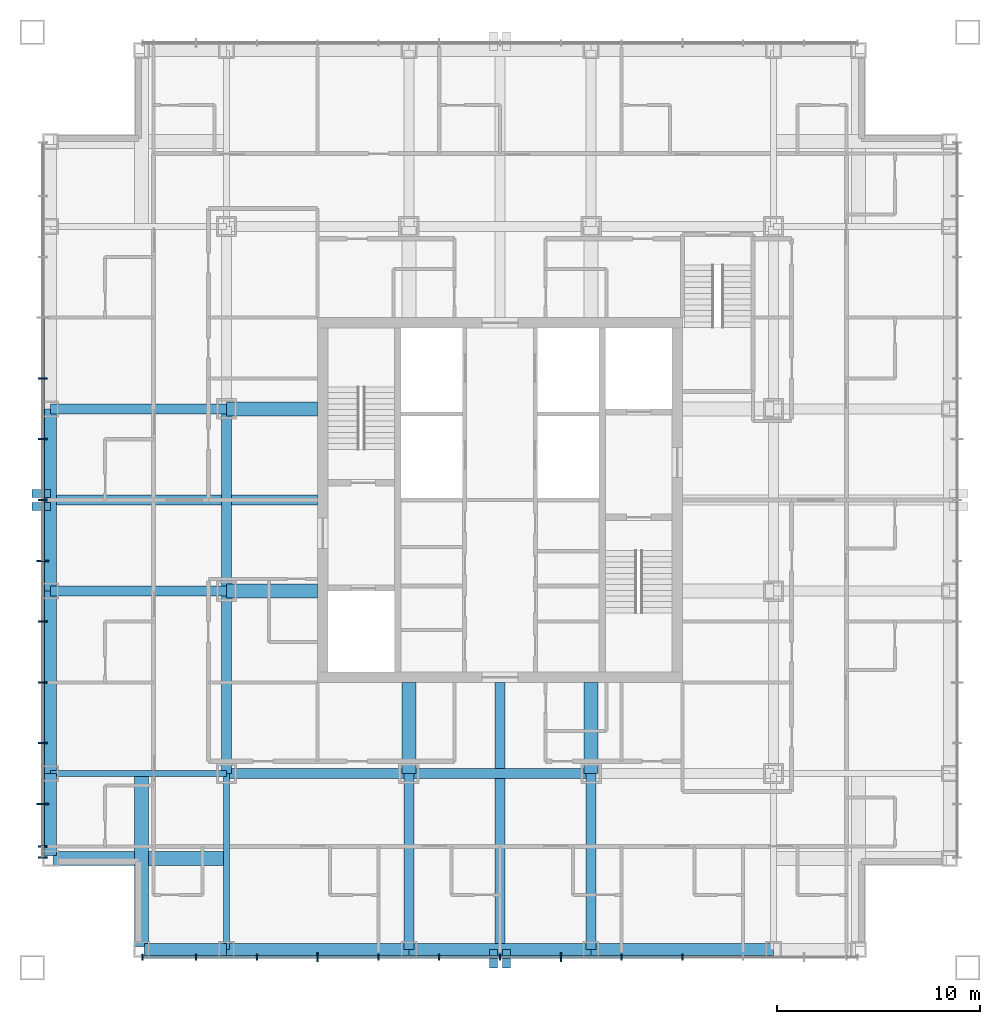
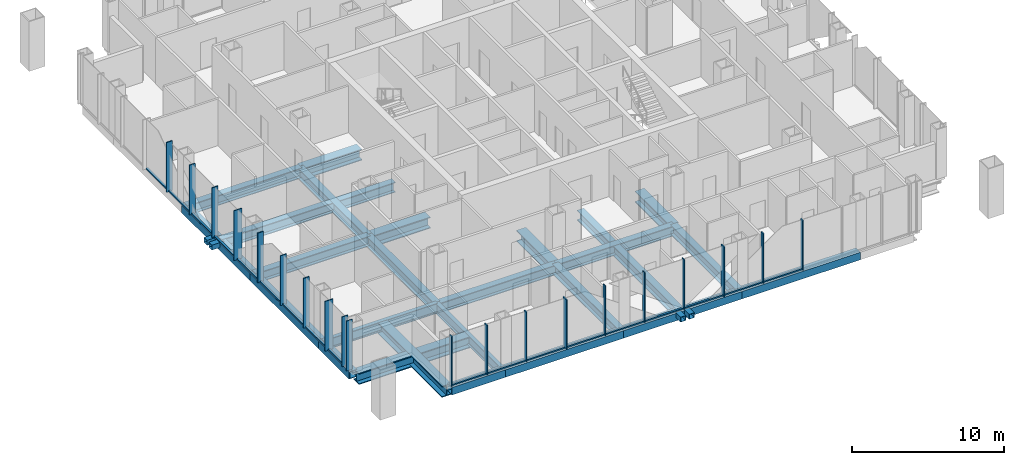
# One storey, part 2 of 17: 42 members, 25 beams, 2 elements without a shape of their own.
"""IFC4 building model written with IfcOpenShell, lengths in metres."""

from ifc_helpers import new_model, si_unit, direction, frame, origin, origin_2d, place, context, subcontext, project, spatial, rectangle, hollow_rectangle, i_section, extrude, material, layer, layer_set, material_profile, profile_set, type_object, element, aggregate, save


model = new_model("IFC4")

# Units and contexts
model_context = context("Model", 3, precision=1e-05, world=origin(), true_north=direction((0.0, 1.0)))
body_context = subcontext(model_context, "Body", "Model", "MODEL_VIEW")
ifc_project = project(units=[si_unit("LENGTHUNIT", "METRE"), si_unit("AREAUNIT", "SQUARE_METRE"), si_unit("VOLUMEUNIT", "CUBIC_METRE"), si_unit("PLANEANGLEUNIT", "RADIAN"), si_unit("MASSUNIT", "GRAM", prefix="KILO")], contexts=[model_context])

# Site, building, storey
site_placement = place(None, origin())
site = spatial("IfcSite", under=ifc_project, at=site_placement, CompositionType="ELEMENT")
building_placement = place(site_placement, origin())
building = spatial("IfcBuilding", under=site, at=building_placement, Name="Malebo Sky Hospital", CompositionType="ELEMENT")
storey_placement = place(building_placement, frame((0.0, 0.0, 193.0)))
storey = spatial("IfcBuildingStorey", under=building, at=storey_placement, Name="L46", CompositionType="ELEMENT", Elevation=193.0)

# Curtain wall, members
ifc_material_1 = material(Name="Anodised aluminium, natural silver", Category="aluminium")
ifc_layer_1 = layer(ifc_material_1, 0.25)
ifc_layer_set_1 = layer_set([ifc_layer_1], Name="WARD CURTAIN WALL EAST AND WEST")
curtain_wall_type_1 = type_object("IfcCurtainWallType", Name="WARD CURTAIN WALL EAST AND WEST", PredefinedType="NOTDEFINED", material=ifc_layer_set_1)
curtain_wall_1_placement = place(storey_placement, origin())
curtain_wall_1 = element("IfcCurtainWall", 1, at=curtain_wall_1_placement, inside=storey, type_object=curtain_wall_type_1, Name="EW curtain wall W", PredefinedType="NOTDEFINED")
ifc_material_profile_1 = material_profile(ifc_material_1, rectangle(XDim=0.14990234375, YDim=0.10009765625, at=origin_2d()), Name="ALUMINIUM TRANSOM 150x100")
ifc_profile_set_1 = profile_set([ifc_material_profile_1], Name="Anodised aluminium, natural silver")
member_type_1 = type_object("IfcMemberType", Name="ALUMINIUM TRANSOM 150x100", PredefinedType="USERDEFINED", material=ifc_profile_set_1)
member_1_placement = place(storey_placement, frame((37.425048828125, 44.9375, 0.050048828125), z_axis=(0.0, 1.0, 0.0), x_axis=(-1.0, 0.0, 0.0)))
member_1 = element("IfcMember", 2, at=member_1_placement, type_object=member_type_1, Name="Transom 2", ObjectType="TRANSOM", PredefinedType="USERDEFINED", context=body_context, shape_type="SweptSolid", body=[
    extrude(rectangle(XDim=0.14990234375, YDim=0.10009765625, at=origin_2d()), origin(), (0.0, 0.0, 1.0), 2.02490234375),
])
member_2_placement = place(storey_placement, frame((37.425048828125, 47.03759765625, 0.050048828125), z_axis=(0.0, 1.0, 0.0), x_axis=(-1.0, 0.0, 0.0)))
member_2 = element("IfcMember", 3, at=member_2_placement, type_object=member_type_1, Name="Transom 3", ObjectType="TRANSOM", PredefinedType="USERDEFINED", context=body_context, shape_type="SweptSolid", body=[
    extrude(rectangle(XDim=0.14990234375, YDim=0.10009765625, at=origin_2d()), origin(), (0.0, 0.0, 1.0), 2.9248046875),
])
member_3_placement = place(storey_placement, frame((37.425048828125, 50.03759765625, 0.050048828125), z_axis=(0.0, 1.0, 0.0), x_axis=(-1.0, 0.0, 0.0)))
member_3 = element("IfcMember", 4, at=member_3_placement, type_object=member_type_1, Name="Transom 4", ObjectType="TRANSOM", PredefinedType="USERDEFINED", context=body_context, shape_type="SweptSolid", body=[
    extrude(rectangle(XDim=0.14990234375, YDim=0.10009765625, at=origin_2d()), origin(), (0.0, 0.0, 1.0), 2.9248046875),
])
member_4_placement = place(storey_placement, frame((37.425048828125, 53.03759765625, 0.050048828125), z_axis=(0.0, 1.0, 0.0), x_axis=(-1.0, 0.0, 0.0)))
member_4 = element("IfcMember", 5, at=member_4_placement, type_object=member_type_1, Name="Transom 5", ObjectType="TRANSOM", PredefinedType="USERDEFINED", context=body_context, shape_type="SweptSolid", body=[
    extrude(rectangle(XDim=0.14990234375, YDim=0.10009765625, at=origin_2d()), origin(), (0.0, 0.0, 1.0), 2.9248046875),
])
member_5_placement = place(storey_placement, frame((37.425048828125, 56.03759765625, 0.050048828125), z_axis=(0.0, 1.0, 0.0), x_axis=(-1.0, 0.0, 0.0)))
member_5 = element("IfcMember", 6, at=member_5_placement, type_object=member_type_1, Name="Transom 6", ObjectType="TRANSOM", PredefinedType="USERDEFINED", context=body_context, shape_type="SweptSolid", body=[
    extrude(rectangle(XDim=0.14990234375, YDim=0.10009765625, at=origin_2d()), origin(), (0.0, 0.0, 1.0), 2.9248046875),
])
member_6_placement = place(storey_placement, frame((37.425048828125, 59.03759765625, 0.050048828125), z_axis=(0.0, 1.0, 0.0), x_axis=(-1.0, 0.0, 0.0)))
member_6 = element("IfcMember", 7, at=member_6_placement, type_object=member_type_1, Name="Transom 7", ObjectType="TRANSOM", PredefinedType="USERDEFINED", context=body_context, shape_type="SweptSolid", body=[
    extrude(rectangle(XDim=0.14990234375, YDim=0.10009765625, at=origin_2d()), origin(), (0.0, 0.0, 1.0), 2.9248046875),
])
member_7_placement = place(storey_placement, frame((37.425048828125, 62.03759765625, 0.050048828125), z_axis=(0.0, 1.0, 0.0), x_axis=(-1.0, 0.0, 0.0)))
member_7 = element("IfcMember", 8, at=member_7_placement, type_object=member_type_1, Name="Transom 8", ObjectType="TRANSOM", PredefinedType="USERDEFINED", context=body_context, shape_type="SweptSolid", body=[
    extrude(rectangle(XDim=0.14990234375, YDim=0.10009765625, at=origin_2d()), origin(), (0.0, 0.0, 1.0), 2.9248046875),
])
member_8_placement = place(storey_placement, frame((37.425048828125, 65.03759765625, 0.050048828125), z_axis=(0.0, 1.0, 0.0), x_axis=(-1.0, 0.0, 0.0)))
member_8 = element("IfcMember", 9, at=member_8_placement, type_object=member_type_1, Name="Transom 9", ObjectType="TRANSOM", PredefinedType="USERDEFINED", context=body_context, shape_type="SweptSolid", body=[
    extrude(rectangle(XDim=0.14990234375, YDim=0.10009765625, at=origin_2d()), origin(), (0.0, 0.0, 1.0), 2.9248046875),
])
member_9_placement = place(storey_placement, frame((37.425048828125, 68.03759765625, 0.050048828125), z_axis=(0.0, 1.0, 0.0), x_axis=(-1.0, 0.0, 0.0)))
member_9 = element("IfcMember", 10, at=member_9_placement, type_object=member_type_1, Name="Transom 10", ObjectType="TRANSOM", PredefinedType="USERDEFINED", context=body_context, shape_type="SweptSolid", body=[
    extrude(rectangle(XDim=0.14990234375, YDim=0.10009765625, at=origin_2d()), origin(), (0.0, 0.0, 1.0), 2.9248046875),
])

ifc_layer_2 = layer(ifc_material_1, 0.25)
ifc_layer_set_2 = layer_set([ifc_layer_2], Name="WARD CURTAIN WALL NORTH AND SOUTH")
curtain_wall_type_2 = type_object("IfcCurtainWallType", Name="WARD CURTAIN WALL NORTH AND SOUTH", PredefinedType="NOTDEFINED", material=ifc_layer_set_2)
curtain_wall_2_placement = place(storey_placement, origin())
curtain_wall_2 = element("IfcCurtainWall", 11, at=curtain_wall_2_placement, inside=storey, type_object=curtain_wall_type_2, Name="NS curtain wall S", PredefinedType="NOTDEFINED")
member_10_placement = place(storey_placement, frame((68.96240234375, 39.425048828125, 0.050048828125), z_axis=(-1.0, 0.0, 0.0), x_axis=(0.0, -1.0, 0.0)))
member_10 = element("IfcMember", 12, at=member_10_placement, type_object=member_type_1, Name="Transom 5", ObjectType="TRANSOM", PredefinedType="USERDEFINED", context=body_context, shape_type="SweptSolid", body=[
    extrude(rectangle(XDim=0.14990234375, YDim=0.10009765625, at=origin_2d()), origin(), (0.0, 0.0, 1.0), 2.9248046875),
])
member_11_placement = place(storey_placement, frame((65.96240234375, 39.425048828125, 0.050048828125), z_axis=(-1.0, 0.0, 0.0), x_axis=(0.0, -1.0, 0.0)))
member_11 = element("IfcMember", 13, at=member_11_placement, type_object=member_type_1, Name="Transom 6", ObjectType="TRANSOM", PredefinedType="USERDEFINED", context=body_context, shape_type="SweptSolid", body=[
    extrude(rectangle(XDim=0.14990234375, YDim=0.10009765625, at=origin_2d()), origin(), (0.0, 0.0, 1.0), 2.9248046875),
])
member_12_placement = place(storey_placement, frame((62.96240234375, 39.425048828125, 0.050048828125), z_axis=(-1.0, 0.0, 0.0), x_axis=(0.0, -1.0, 0.0)))
member_12 = element("IfcMember", 14, at=member_12_placement, type_object=member_type_1, Name="Transom 7", ObjectType="TRANSOM", PredefinedType="USERDEFINED", context=body_context, shape_type="SweptSolid", body=[
    extrude(rectangle(XDim=0.14990234375, YDim=0.10009765625, at=origin_2d()), origin(), (0.0, 0.0, 1.0), 2.9248046875),
])
member_13_placement = place(storey_placement, frame((59.96240234375, 39.425048828125, 0.050048828125), z_axis=(-1.0, 0.0, 0.0), x_axis=(0.0, -1.0, 0.0)))
member_13 = element("IfcMember", 15, at=member_13_placement, type_object=member_type_1, Name="Transom 8", ObjectType="TRANSOM", PredefinedType="USERDEFINED", context=body_context, shape_type="SweptSolid", body=[
    extrude(rectangle(XDim=0.14990234375, YDim=0.10009765625, at=origin_2d()), origin(), (0.0, 0.0, 1.0), 2.9248046875),
])
member_14_placement = place(storey_placement, frame((56.96240234375, 39.425048828125, 0.050048828125), z_axis=(-1.0, 0.0, 0.0), x_axis=(0.0, -1.0, 0.0)))
member_14 = element("IfcMember", 16, at=member_14_placement, type_object=member_type_1, Name="Transom 9", ObjectType="TRANSOM", PredefinedType="USERDEFINED", context=body_context, shape_type="SweptSolid", body=[
    extrude(rectangle(XDim=0.14990234375, YDim=0.10009765625, at=origin_2d()), origin(), (0.0, 0.0, 1.0), 2.9248046875),
])
member_15_placement = place(storey_placement, frame((53.96240234375, 39.425048828125, 0.050048828125), z_axis=(-1.0, 0.0, 0.0), x_axis=(0.0, -1.0, 0.0)))
member_15 = element("IfcMember", 17, at=member_15_placement, type_object=member_type_1, Name="Transom 10", ObjectType="TRANSOM", PredefinedType="USERDEFINED", context=body_context, shape_type="SweptSolid", body=[
    extrude(rectangle(XDim=0.14990234375, YDim=0.10009765625, at=origin_2d()), origin(), (0.0, 0.0, 1.0), 2.9248046875),
])
member_16_placement = place(storey_placement, frame((50.96240234375, 39.425048828125, 0.050048828125), z_axis=(-1.0, 0.0, 0.0), x_axis=(0.0, -1.0, 0.0)))
member_16 = element("IfcMember", 18, at=member_16_placement, type_object=member_type_1, Name="Transom 11", ObjectType="TRANSOM", PredefinedType="USERDEFINED", context=body_context, shape_type="SweptSolid", body=[
    extrude(rectangle(XDim=0.14990234375, YDim=0.10009765625, at=origin_2d()), origin(), (0.0, 0.0, 1.0), 2.9248046875),
])
member_17_placement = place(storey_placement, frame((47.96240234375, 39.425048828125, 0.050048828125), z_axis=(-1.0, 0.0, 0.0), x_axis=(0.0, -1.0, 0.0)))
member_17 = element("IfcMember", 19, at=member_17_placement, type_object=member_type_1, Name="Transom 12", ObjectType="TRANSOM", PredefinedType="USERDEFINED", context=body_context, shape_type="SweptSolid", body=[
    extrude(rectangle(XDim=0.14990234375, YDim=0.10009765625, at=origin_2d()), origin(), (0.0, 0.0, 1.0), 2.9248046875),
])
member_18_placement = place(storey_placement, frame((44.96240234375, 39.425048828125, 0.050048828125), z_axis=(-1.0, 0.0, 0.0), x_axis=(0.0, -1.0, 0.0)))
member_18 = element("IfcMember", 20, at=member_18_placement, type_object=member_type_1, Name="Transom 13", ObjectType="TRANSOM", PredefinedType="USERDEFINED", context=body_context, shape_type="SweptSolid", body=[
    extrude(rectangle(XDim=0.14990234375, YDim=0.10009765625, at=origin_2d()), origin(), (0.0, 0.0, 1.0), 2.58740234375),
])

# Members
ifc_material_2 = material(Name="Steel S355", Category="steel")
ifc_material_profile_2 = material_profile(ifc_material_2, hollow_rectangle(XDim=0.39990234375, YDim=0.39990234375, WallThickness=0.02001953125, at=origin_2d()), Name="SHS 400x20")
ifc_profile_set_2 = profile_set([ifc_material_profile_2], Name="Steel S355")
member_type_2 = type_object("IfcMemberType", Name="BRACE STRUT SHS 400x20", PredefinedType="STRUT", material=ifc_profile_set_2)
for number, where, z_axis, x_axis, name in (
    (21, (60.3203125, 38.89990234375, -0.39990234375), (0.0, 1.0, 0.0), (-1.0, 0.0, 0.0), "Brace strut CS1 L46"),
    (22, (59.6796875, 38.89990234375, -0.39990234375), (0.0, 1.0, 0.0), (-1.0, 0.0, 0.0), "Brace strut CS2 L46"),
    (23, (36.89990234375, 61.6796875, -0.39990234375), (1.0, 0.0, 0.0), (0.0, 1.0, 0.0), "Brace strut CW1 L46"),
    (24, (36.89990234375, 62.3203125, -0.39990234375), (1.0, 0.0, 0.0), (0.0, 1.0, 0.0), "Brace strut CW2 L46"),
):
    element("IfcMember", number, at=place(storey_placement, frame(where, z_axis=z_axis, x_axis=x_axis)), inside=storey, type_object=member_type_2, Name=name, PredefinedType="STRUT", context=body_context, shape_type="SweptSolid", body=[
        extrude(hollow_rectangle(XDim=0.39990234375, YDim=0.39990234375, WallThickness=0.02001953125, at=origin_2d()), origin(), (0.0, 0.0, 1.0), 0.900146484375),
    ])

# Member
ifc_material_profile_3 = material_profile(ifc_material_1, rectangle(XDim=0.074951171875, YDim=0.300048828125, at=origin_2d()), Name="CW1 ALUMINIUM FIN MULLION 75x300")
ifc_profile_set_3 = profile_set([ifc_material_profile_3], Name="Anodised aluminium, natural silver")
member_type_3 = type_object("IfcMemberType", Name="CW1 ALUMINIUM FIN MULLION 75x300", PredefinedType="MULLION", material=ifc_profile_set_3)
member_19_placement = place(storey_placement, frame((69.0, 39.425048828125, 0.0), z_axis=(0.0, 0.0, 1.0), x_axis=(-1.0, 0.0, 0.0)))
member_19 = element("IfcMember", 25, at=member_19_placement, type_object=member_type_3, Name="Fin mullion 5", PredefinedType="MULLION", context=body_context, shape_type="SweptSolid", body=[
    extrude(rectangle(XDim=0.074951171875, YDim=0.300048828125, at=origin_2d()), origin(), (0.0, 0.0, 1.0), 4.0),
])

member_20_placement = place(storey_placement, frame((66.0, 39.425048828125, 0.0), z_axis=(0.0, 0.0, 1.0), x_axis=(-1.0, 0.0, 0.0)))
member_20 = element("IfcMember", 26, at=member_20_placement, type_object=member_type_3, Name="Fin mullion 6", PredefinedType="MULLION", context=body_context, shape_type="SweptSolid", body=[
    extrude(rectangle(XDim=0.074951171875, YDim=0.300048828125, at=origin_2d()), origin(), (0.0, 0.0, 1.0), 4.0),
])

member_21_placement = place(storey_placement, frame((60.0, 39.425048828125, 0.0), z_axis=(0.0, 0.0, 1.0), x_axis=(-1.0, 0.0, 0.0)))
member_21 = element("IfcMember", 27, at=member_21_placement, type_object=member_type_3, Name="Fin mullion 8", PredefinedType="MULLION", context=body_context, shape_type="SweptSolid", body=[
    extrude(rectangle(XDim=0.074951171875, YDim=0.300048828125, at=origin_2d()), origin(), (0.0, 0.0, 1.0), 4.0),
])

member_22_placement = place(storey_placement, frame((57.0, 39.425048828125, 0.0), z_axis=(0.0, 0.0, 1.0), x_axis=(-1.0, 0.0, 0.0)))
member_22 = element("IfcMember", 28, at=member_22_placement, type_object=member_type_3, Name="Fin mullion 9", PredefinedType="MULLION", context=body_context, shape_type="SweptSolid", body=[
    extrude(rectangle(XDim=0.074951171875, YDim=0.300048828125, at=origin_2d()), origin(), (0.0, 0.0, 1.0), 4.0),
])

member_23_placement = place(storey_placement, frame((54.0, 39.425048828125, 0.0), z_axis=(0.0, 0.0, 1.0), x_axis=(-1.0, 0.0, 0.0)))
member_23 = element("IfcMember", 29, at=member_23_placement, type_object=member_type_3, Name="Fin mullion 10", PredefinedType="MULLION", context=body_context, shape_type="SweptSolid", body=[
    extrude(rectangle(XDim=0.074951171875, YDim=0.300048828125, at=origin_2d()), origin(), (0.0, 0.0, 1.0), 4.0),
])

member_24_placement = place(storey_placement, frame((48.0, 39.425048828125, 0.0), z_axis=(0.0, 0.0, 1.0), x_axis=(-1.0, 0.0, 0.0)))
member_24 = element("IfcMember", 30, at=member_24_placement, type_object=member_type_3, Name="Fin mullion 12", PredefinedType="MULLION", context=body_context, shape_type="SweptSolid", body=[
    extrude(rectangle(XDim=0.074951171875, YDim=0.300048828125, at=origin_2d()), origin(), (0.0, 0.0, 1.0), 4.0),
])

member_25_placement = place(storey_placement, frame((45.0, 39.425048828125, 0.0), z_axis=(0.0, 0.0, 1.0), x_axis=(-1.0, 0.0, 0.0)))
member_25 = element("IfcMember", 31, at=member_25_placement, type_object=member_type_3, Name="Fin mullion 13", PredefinedType="MULLION", context=body_context, shape_type="SweptSolid", body=[
    extrude(rectangle(XDim=0.074951171875, YDim=0.300048828125, at=origin_2d()), origin(), (0.0, 0.0, 1.0), 4.0),
])

member_26_placement = place(storey_placement, frame((42.33740234375, 39.425048828125, 0.0), z_axis=(0.0, 0.0, 1.0), x_axis=(-1.0, 0.0, 0.0)))
member_26 = element("IfcMember", 32, at=member_26_placement, type_object=member_type_3, Name="Fin mullion 14", PredefinedType="MULLION", context=body_context, shape_type="SweptSolid", body=[
    extrude(rectangle(XDim=0.074951171875, YDim=0.300048828125, at=origin_2d()), origin(), (0.0, 0.0, 1.0), 4.0),
])

ifc_material_profile_4 = material_profile(ifc_material_1, rectangle(XDim=0.074951171875, YDim=0.449951171875, at=origin_2d()), Name="CW1 ALUMINIUM FIN MULLION 75x450")
ifc_profile_set_4 = profile_set([ifc_material_profile_4], Name="Anodised aluminium, natural silver")
member_type_4 = type_object("IfcMemberType", Name="CW1 ALUMINIUM FIN MULLION 75x450", PredefinedType="MULLION", material=ifc_profile_set_4)
member_27_placement = place(storey_placement, frame((63.0, 39.425048828125, 0.0), z_axis=(0.0, 0.0, 1.0), x_axis=(-1.0, 0.0, 0.0)))
member_27 = element("IfcMember", 33, at=member_27_placement, type_object=member_type_4, Name="Fin mullion 7", PredefinedType="MULLION", context=body_context, shape_type="SweptSolid", body=[
    extrude(rectangle(XDim=0.074951171875, YDim=0.449951171875, at=origin_2d()), origin(), (0.0, 0.0, 1.0), 4.0),
])

member_28_placement = place(storey_placement, frame((51.0, 39.425048828125, 0.0), z_axis=(0.0, 0.0, 1.0), x_axis=(-1.0, 0.0, 0.0)))
member_28 = element("IfcMember", 34, at=member_28_placement, type_object=member_type_4, Name="Fin mullion 11", PredefinedType="MULLION", context=body_context, shape_type="SweptSolid", body=[
    extrude(rectangle(XDim=0.074951171875, YDim=0.449951171875, at=origin_2d()), origin(), (0.0, 0.0, 1.0), 4.0),
])

aggregate(curtain_wall_2, [member_19, member_20, member_27, member_21, member_22, member_23, member_28, member_24, member_25, member_26, member_10, member_11, member_12, member_13, member_14, member_15, member_16, member_17, member_18])

ifc_material_profile_5 = material_profile(ifc_material_1, rectangle(XDim=0.074951171875, YDim=0.449951171875, at=origin_2d()), Name="CW2 ALUMINIUM FIN MULLION 75x450")
ifc_profile_set_5 = profile_set([ifc_material_profile_5], Name="Anodised aluminium, natural silver")
member_type_5 = type_object("IfcMemberType", Name="CW2 ALUMINIUM FIN MULLION 75x450", PredefinedType="MULLION", material=ifc_profile_set_5)
member_29_placement = place(storey_placement, frame((37.425048828125, 44.33740234375, 0.0), z_axis=(0.0, 0.0, 1.0), x_axis=(0.0, 1.0, 0.0)))
member_29 = element("IfcMember", 35, at=member_29_placement, type_object=member_type_5, Name="Fin mullion 1", PredefinedType="MULLION", context=body_context, shape_type="SweptSolid", body=[
    extrude(rectangle(XDim=0.074951171875, YDim=0.449951171875, at=origin_2d()), origin(), (0.0, 0.0, 1.0), 4.0),
])

member_30_placement = place(storey_placement, frame((37.425048828125, 44.89990234375, 0.0), z_axis=(0.0, 0.0, 1.0), x_axis=(0.0, 1.0, 0.0)))
member_30 = element("IfcMember", 36, at=member_30_placement, type_object=member_type_5, Name="Fin mullion 2", PredefinedType="MULLION", context=body_context, shape_type="SweptSolid", body=[
    extrude(rectangle(XDim=0.074951171875, YDim=0.449951171875, at=origin_2d()), origin(), (0.0, 0.0, 1.0), 4.0),
])

member_31_placement = place(storey_placement, frame((37.425048828125, 50.0, 0.0), z_axis=(0.0, 0.0, 1.0), x_axis=(0.0, 1.0, 0.0)))
member_31 = element("IfcMember", 37, at=member_31_placement, type_object=member_type_5, Name="Fin mullion 4", PredefinedType="MULLION", context=body_context, shape_type="SweptSolid", body=[
    extrude(rectangle(XDim=0.074951171875, YDim=0.449951171875, at=origin_2d()), origin(), (0.0, 0.0, 1.0), 4.0),
])

member_32_placement = place(storey_placement, frame((37.425048828125, 53.0, 0.0), z_axis=(0.0, 0.0, 1.0), x_axis=(0.0, 1.0, 0.0)))
member_32 = element("IfcMember", 38, at=member_32_placement, type_object=member_type_5, Name="Fin mullion 5", PredefinedType="MULLION", context=body_context, shape_type="SweptSolid", body=[
    extrude(rectangle(XDim=0.074951171875, YDim=0.449951171875, at=origin_2d()), origin(), (0.0, 0.0, 1.0), 4.0),
])

member_33_placement = place(storey_placement, frame((37.425048828125, 56.0, 0.0), z_axis=(0.0, 0.0, 1.0), x_axis=(0.0, 1.0, 0.0)))
member_33 = element("IfcMember", 39, at=member_33_placement, type_object=member_type_5, Name="Fin mullion 6", PredefinedType="MULLION", context=body_context, shape_type="SweptSolid", body=[
    extrude(rectangle(XDim=0.074951171875, YDim=0.449951171875, at=origin_2d()), origin(), (0.0, 0.0, 1.0), 4.0),
])

member_34_placement = place(storey_placement, frame((37.425048828125, 62.0, 0.0), z_axis=(0.0, 0.0, 1.0), x_axis=(0.0, 1.0, 0.0)))
member_34 = element("IfcMember", 40, at=member_34_placement, type_object=member_type_5, Name="Fin mullion 8", PredefinedType="MULLION", context=body_context, shape_type="SweptSolid", body=[
    extrude(rectangle(XDim=0.074951171875, YDim=0.449951171875, at=origin_2d()), origin(), (0.0, 0.0, 1.0), 4.0),
])

member_35_placement = place(storey_placement, frame((37.425048828125, 65.0, 0.0), z_axis=(0.0, 0.0, 1.0), x_axis=(0.0, 1.0, 0.0)))
member_35 = element("IfcMember", 41, at=member_35_placement, type_object=member_type_5, Name="Fin mullion 9", PredefinedType="MULLION", context=body_context, shape_type="SweptSolid", body=[
    extrude(rectangle(XDim=0.074951171875, YDim=0.449951171875, at=origin_2d()), origin(), (0.0, 0.0, 1.0), 4.0),
])

member_36_placement = place(storey_placement, frame((37.425048828125, 68.0, 0.0), z_axis=(0.0, 0.0, 1.0), x_axis=(0.0, 1.0, 0.0)))
member_36 = element("IfcMember", 42, at=member_36_placement, type_object=member_type_5, Name="Fin mullion 10", PredefinedType="MULLION", context=body_context, shape_type="SweptSolid", body=[
    extrude(rectangle(XDim=0.074951171875, YDim=0.449951171875, at=origin_2d()), origin(), (0.0, 0.0, 1.0), 4.0),
])

ifc_material_profile_6 = material_profile(ifc_material_1, rectangle(XDim=0.074951171875, YDim=0.60009765625, at=origin_2d()), Name="CW2 ALUMINIUM FIN MULLION 75x600")
ifc_profile_set_6 = profile_set([ifc_material_profile_6], Name="Anodised aluminium, natural silver")
member_type_6 = type_object("IfcMemberType", Name="CW2 ALUMINIUM FIN MULLION 75x600", PredefinedType="MULLION", material=ifc_profile_set_6)
member_37_placement = place(storey_placement, frame((37.425048828125, 47.0, 0.0), z_axis=(0.0, 0.0, 1.0), x_axis=(0.0, 1.0, 0.0)))
member_37 = element("IfcMember", 43, at=member_37_placement, type_object=member_type_6, Name="Fin mullion 3", PredefinedType="MULLION", context=body_context, shape_type="SweptSolid", body=[
    extrude(rectangle(XDim=0.074951171875, YDim=0.60009765625, at=origin_2d()), origin(), (0.0, 0.0, 1.0), 4.0),
])

member_38_placement = place(storey_placement, frame((37.425048828125, 59.0, 0.0), z_axis=(0.0, 0.0, 1.0), x_axis=(0.0, 1.0, 0.0)))
member_38 = element("IfcMember", 44, at=member_38_placement, type_object=member_type_6, Name="Fin mullion 7", PredefinedType="MULLION", context=body_context, shape_type="SweptSolid", body=[
    extrude(rectangle(XDim=0.074951171875, YDim=0.60009765625, at=origin_2d()), origin(), (0.0, 0.0, 1.0), 4.0),
])

aggregate(curtain_wall_1, [member_29, member_30, member_37, member_31, member_32, member_33, member_38, member_34, member_35, member_36, member_1, member_2, member_3, member_4, member_5, member_6, member_7, member_8, member_9])

# Beams
ifc_material_3 = material(Name="Steel S460", Category="steel")
ifc_material_profile_7 = material_profile(ifc_material_3, hollow_rectangle(XDim=0.60009765625, YDim=0.60009765625, WallThickness=0.0400390625, at=origin_2d()), Name="BOX 600x600x40")
ifc_profile_set_7 = profile_set([ifc_material_profile_7], Name="Steel S460")
beam_type_1 = type_object("IfcBeamType", Name="EDGE BEAM BOX 600x600x40", PredefinedType="BEAM", material=ifc_profile_set_7)
beam_1_placement = place(storey_placement, frame((37.800048828125, 44.449951171875, -0.550048828125), z_axis=(0.0, 1.0, 0.0), x_axis=(-1.0, 0.0, 0.0)))
element("IfcBeam", 45, at=beam_1_placement, inside=storey, type_object=beam_type_1, Name="Beam 000 L46", PredefinedType="BEAM", context=body_context, shape_type="SweptSolid", body=[
    extrude(hollow_rectangle(XDim=0.60009765625, YDim=0.60009765625, WallThickness=0.0400390625, at=origin_2d()), origin(), (0.0, 0.0, 1.0), 4.050048828125),
])
for number, where, z_axis, x_axis, name in (
    (46, (37.800048828125, 48.5, -0.550048828125), (0.0, 1.0, 0.0), (-1.0, 0.0, 0.0), "Beam 001 L46"),
    (47, (37.800048828125, 57.5, -0.550048828125), (0.0, 1.0, 0.0), (-1.0, 0.0, 0.0), "Beam 002 L46"),
):
    element("IfcBeam", number, at=place(storey_placement, frame(where, z_axis=z_axis, x_axis=x_axis)), inside=storey, type_object=beam_type_1, Name=name, PredefinedType="BEAM", context=body_context, shape_type="SweptSolid", body=[
        extrude(hollow_rectangle(XDim=0.60009765625, YDim=0.60009765625, WallThickness=0.0400390625, at=origin_2d()), origin(), (0.0, 0.0, 1.0), 9.0),
    ])
beam_2_placement = place(storey_placement, frame((42.449951171875, 39.800048828125, -0.550048828125), z_axis=(1.0, 0.0, 0.0), x_axis=(0.0, 1.0, 0.0)))
element("IfcBeam", 48, at=beam_2_placement, inside=storey, type_object=beam_type_1, Name="Beam 034 L46", PredefinedType="BEAM", context=body_context, shape_type="SweptSolid", body=[
    extrude(hollow_rectangle(XDim=0.60009765625, YDim=0.60009765625, WallThickness=0.0400390625, at=origin_2d()), origin(), (0.0, 0.0, 1.0), 4.050048828125),
])
for number, where, z_axis, x_axis, name in (
    (49, (46.5, 39.800048828125, -0.550048828125), (1.0, 0.0, 0.0), (0.0, 1.0, 0.0), "Beam 035 L46"),
    (50, (55.5, 39.800048828125, -0.550048828125), (1.0, 0.0, 0.0), (0.0, 1.0, 0.0), "Beam 036 L46"),
    (51, (64.5, 39.800048828125, -0.550048828125), (1.0, 0.0, 0.0), (0.0, 1.0, 0.0), "Beam 037 L46"),
):
    element("IfcBeam", number, at=place(storey_placement, frame(where, z_axis=z_axis, x_axis=x_axis)), inside=storey, type_object=beam_type_1, Name=name, PredefinedType="BEAM", context=body_context, shape_type="SweptSolid", body=[
        extrude(hollow_rectangle(XDim=0.60009765625, YDim=0.60009765625, WallThickness=0.0400390625, at=origin_2d()), origin(), (0.0, 0.0, 1.0), 9.0),
    ])
ifc_material_profile_8 = material_profile(ifc_material_2, i_section(OverallWidth=0.5, OverallDepth=0.800048828125, WebThickness=0.030029296875, FlangeThickness=0.050048828125, at=origin_2d()), Name="PG 800x500x30x50")
ifc_profile_set_8 = profile_set([ifc_material_profile_8], Name="Steel S355")
beam_type_2 = type_object("IfcBeamType", Name="FLOOR BEAM PG 800x500x30x50", PredefinedType="BEAM", material=ifc_profile_set_8)
beam_3_placement = place(storey_placement, frame((46.5, 48.5, -0.64990234375), z_axis=(0.0, 1.0, 0.0), x_axis=(-1.0, 0.0, 0.0)))
element("IfcBeam", 52, at=beam_3_placement, inside=storey, type_object=beam_type_2, Name="Beam 008 L46", PredefinedType="BEAM", context=body_context, shape_type="SweptSolid", body=[
    extrude(i_section(OverallWidth=0.5, OverallDepth=0.800048828125, WebThickness=0.030029296875, FlangeThickness=0.050048828125, at=origin_2d()), origin(), (0.0, 0.0, 1.0), 9.0),
])
beam_4_placement = place(storey_placement, frame((55.5, 39.800048828125, -0.64990234375), z_axis=(0.0, 1.0, 0.0), x_axis=(-1.0, 0.0, 0.0)))
element("IfcBeam", 53, at=beam_4_placement, inside=storey, type_object=beam_type_2, Name="Beam 012 L46", PredefinedType="BEAM", context=body_context, shape_type="SweptSolid", body=[
    extrude(i_section(OverallWidth=0.5, OverallDepth=0.800048828125, WebThickness=0.030029296875, FlangeThickness=0.050048828125, at=origin_2d()), origin(), (0.0, 0.0, 1.0), 8.699951171875),
])
beam_5_placement = place(storey_placement, frame((60.0, 39.800048828125, -0.64990234375), z_axis=(0.0, 1.0, 0.0), x_axis=(-1.0, 0.0, 0.0)))
element("IfcBeam", 54, at=beam_5_placement, inside=storey, type_object=beam_type_2, Name="Beam 016 L46", PredefinedType="BEAM", context=body_context, shape_type="SweptSolid", body=[
    extrude(i_section(OverallWidth=0.5, OverallDepth=0.800048828125, WebThickness=0.030029296875, FlangeThickness=0.050048828125, at=origin_2d()), origin(), (0.0, 0.0, 1.0), 13.199951171875),
])
beam_6_placement = place(storey_placement, frame((64.5, 39.800048828125, -0.64990234375), z_axis=(0.0, 1.0, 0.0), x_axis=(-1.0, 0.0, 0.0)))
element("IfcBeam", 55, at=beam_6_placement, inside=storey, type_object=beam_type_2, Name="Beam 018 L46", PredefinedType="BEAM", context=body_context, shape_type="SweptSolid", body=[
    extrude(i_section(OverallWidth=0.5, OverallDepth=0.800048828125, WebThickness=0.030029296875, FlangeThickness=0.050048828125, at=origin_2d()), origin(), (0.0, 0.0, 1.0), 8.699951171875),
])
beam_7_placement = place(storey_placement, frame((46.5, 48.5, -0.64990234375), z_axis=(1.0, 0.0, 0.0), x_axis=(0.0, 1.0, 0.0)))
element("IfcBeam", 56, at=beam_7_placement, inside=storey, type_object=beam_type_2, Name="Beam 042 L46", PredefinedType="BEAM", context=body_context, shape_type="SweptSolid", body=[
    extrude(i_section(OverallWidth=0.5, OverallDepth=0.800048828125, WebThickness=0.030029296875, FlangeThickness=0.050048828125, at=origin_2d()), origin(), (0.0, 0.0, 1.0), 9.0),
])
beam_8_placement = place(storey_placement, frame((37.800048828125, 57.5, -0.64990234375), z_axis=(1.0, 0.0, 0.0), x_axis=(0.0, 1.0, 0.0)))
element("IfcBeam", 57, at=beam_8_placement, inside=storey, type_object=beam_type_2, Name="Beam 046 L46", PredefinedType="BEAM", context=body_context, shape_type="SweptSolid", body=[
    extrude(i_section(OverallWidth=0.5, OverallDepth=0.800048828125, WebThickness=0.030029296875, FlangeThickness=0.050048828125, at=origin_2d()), origin(), (0.0, 0.0, 1.0), 8.699951171875),
])
beam_9_placement = place(storey_placement, frame((37.800048828125, 62.0, -0.64990234375), z_axis=(1.0, 0.0, 0.0), x_axis=(0.0, 1.0, 0.0)))
element("IfcBeam", 58, at=beam_9_placement, inside=storey, type_object=beam_type_2, Name="Beam 050 L46", PredefinedType="BEAM", context=body_context, shape_type="SweptSolid", body=[
    extrude(i_section(OverallWidth=0.5, OverallDepth=0.800048828125, WebThickness=0.030029296875, FlangeThickness=0.050048828125, at=origin_2d()), origin(), (0.0, 0.0, 1.0), 13.199951171875),
])
beam_10_placement = place(storey_placement, frame((37.800048828125, 66.5, -0.64990234375), z_axis=(1.0, 0.0, 0.0), x_axis=(0.0, 1.0, 0.0)))
element("IfcBeam", 59, at=beam_10_placement, inside=storey, type_object=beam_type_2, Name="Beam 052 L46", PredefinedType="BEAM", context=body_context, shape_type="SweptSolid", body=[
    extrude(i_section(OverallWidth=0.5, OverallDepth=0.800048828125, WebThickness=0.030029296875, FlangeThickness=0.050048828125, at=origin_2d()), origin(), (0.0, 0.0, 1.0), 8.699951171875),
])
ifc_material_profile_9 = material_profile(ifc_material_2, i_section(OverallWidth=0.699951171875, OverallDepth=0.89990234375, WebThickness=0.0400390625, FlangeThickness=0.070068359375, at=origin_2d()), Name="PG 900x700x40x70")
ifc_profile_set_9 = profile_set([ifc_material_profile_9], Name="Steel S355")
beam_type_3 = type_object("IfcBeamType", Name="FLOOR BEAM PG 900x700x40x70", PredefinedType="BEAM", material=ifc_profile_set_9)
beam_11_placement = place(storey_placement, frame((42.300048828125, 39.949951171875, -0.699951171875), z_axis=(0.0, 1.0, 0.0), x_axis=(-1.0, 0.0, 0.0)))
element("IfcBeam", 60, at=beam_11_placement, inside=storey, type_object=beam_type_3, Name="Beam 005 L46", PredefinedType="BEAM", context=body_context, shape_type="SweptSolid", body=[
    extrude(i_section(OverallWidth=0.699951171875, OverallDepth=0.89990234375, WebThickness=0.0400390625, FlangeThickness=0.070068359375, at=origin_2d()), origin(), (0.0, 0.0, 1.0), 8.550048828125),
])
for number, where, z_axis, x_axis, name in (
    (61, (55.5, 48.5, -0.699951171875), (0.0, 1.0, 0.0), (-1.0, 0.0, 0.0), "Beam 013 L46"),
    (62, (64.5, 48.5, -0.699951171875), (0.0, 1.0, 0.0), (-1.0, 0.0, 0.0), "Beam 019 L46"),
):
    element("IfcBeam", number, at=place(storey_placement, frame(where, z_axis=z_axis, x_axis=x_axis)), inside=storey, type_object=beam_type_3, Name=name, PredefinedType="BEAM", context=body_context, shape_type="SweptSolid", body=[
        extrude(i_section(OverallWidth=0.699951171875, OverallDepth=0.89990234375, WebThickness=0.0400390625, FlangeThickness=0.070068359375, at=origin_2d()), origin(), (0.0, 0.0, 1.0), 4.5),
    ])
beam_12_placement = place(storey_placement, frame((37.949951171875, 44.300048828125, -0.699951171875), z_axis=(1.0, 0.0, 0.0), x_axis=(0.0, 1.0, 0.0)))
element("IfcBeam", 63, at=beam_12_placement, inside=storey, type_object=beam_type_3, Name="Beam 039 L46", PredefinedType="BEAM", context=body_context, shape_type="SweptSolid", body=[
    extrude(i_section(OverallWidth=0.699951171875, OverallDepth=0.89990234375, WebThickness=0.0400390625, FlangeThickness=0.070068359375, at=origin_2d()), origin(), (0.0, 0.0, 1.0), 8.550048828125),
])
for number, where, z_axis, x_axis, name in (
    (64, (46.5, 57.5, -0.699951171875), (1.0, 0.0, 0.0), (0.0, 1.0, 0.0), "Beam 047 L46"),
    (65, (46.5, 66.5, -0.699951171875), (1.0, 0.0, 0.0), (0.0, 1.0, 0.0), "Beam 053 L46"),
):
    element("IfcBeam", number, at=place(storey_placement, frame(where, z_axis=z_axis, x_axis=x_axis)), inside=storey, type_object=beam_type_3, Name=name, PredefinedType="BEAM", context=body_context, shape_type="SweptSolid", body=[
        extrude(i_section(OverallWidth=0.699951171875, OverallDepth=0.89990234375, WebThickness=0.0400390625, FlangeThickness=0.070068359375, at=origin_2d()), origin(), (0.0, 0.0, 1.0), 4.5),
    ])
ifc_material_profile_10 = material_profile(ifc_material_2, i_section(OverallWidth=0.300048828125, OverallDepth=0.800048828125, WebThickness=0.017578125, FlangeThickness=0.032958984375, FilletRadius=0.030029296875, at=origin_2d()), Name="HEB 800")
ifc_profile_set_10 = profile_set([ifc_material_profile_10], Name="Steel S355")
beam_type_4 = type_object("IfcBeamType", Name="FLOOR GIRDER HEB 800", PredefinedType="BEAM", material=ifc_profile_set_10)
for number, where, z_axis, x_axis, name in (
    (66, (46.5, 39.800048828125, -0.64990234375), (0.0, 1.0, 0.0), (-1.0, 0.0, 0.0), "Beam 007 L46"),
    (67, (37.800048828125, 48.5, -0.64990234375), (1.0, 0.0, 0.0), (0.0, 1.0, 0.0), "Beam 041 L46"),
):
    element("IfcBeam", number, at=place(storey_placement, frame(where, z_axis=z_axis, x_axis=x_axis)), inside=storey, type_object=beam_type_4, Name=name, PredefinedType="BEAM", context=body_context, shape_type="SweptSolid", body=[
        extrude(i_section(OverallWidth=0.300048828125, OverallDepth=0.800048828125, WebThickness=0.017578125, FlangeThickness=0.032958984375, FilletRadius=0.030029296875, at=origin_2d()), origin(), (0.0, 0.0, 1.0), 8.699951171875),
    ])
ifc_material_profile_11 = material_profile(ifc_material_2, i_section(OverallWidth=0.5, OverallDepth=0.800048828125, WebThickness=0.030029296875, FlangeThickness=0.050048828125, at=origin_2d()), Name="PG 800x500x30x50")
ifc_profile_set_11 = profile_set([ifc_material_profile_11], Name="Steel S355")
beam_type_5 = type_object("IfcBeamType", Name="RING GIRDER PG 800x500x30x50", PredefinedType="BEAM", material=ifc_profile_set_11)
for number, where, z_axis, x_axis, name in (
    (68, (46.5, 57.5, -0.64990234375), (0.0, 1.0, 0.0), (-1.0, 0.0, 0.0), "Beam 009 L46"),
    (69, (55.5, 48.5, -0.64990234375), (1.0, 0.0, 0.0), (0.0, 1.0, 0.0), "Beam 043 L46"),
):
    element("IfcBeam", number, at=place(storey_placement, frame(where, z_axis=z_axis, x_axis=x_axis)), inside=storey, type_object=beam_type_5, Name=name, PredefinedType="BEAM", context=body_context, shape_type="SweptSolid", body=[
        extrude(i_section(OverallWidth=0.5, OverallDepth=0.800048828125, WebThickness=0.030029296875, FlangeThickness=0.050048828125, at=origin_2d()), origin(), (0.0, 0.0, 1.0), 9.0),
    ])

save(model, "model.ifc")
